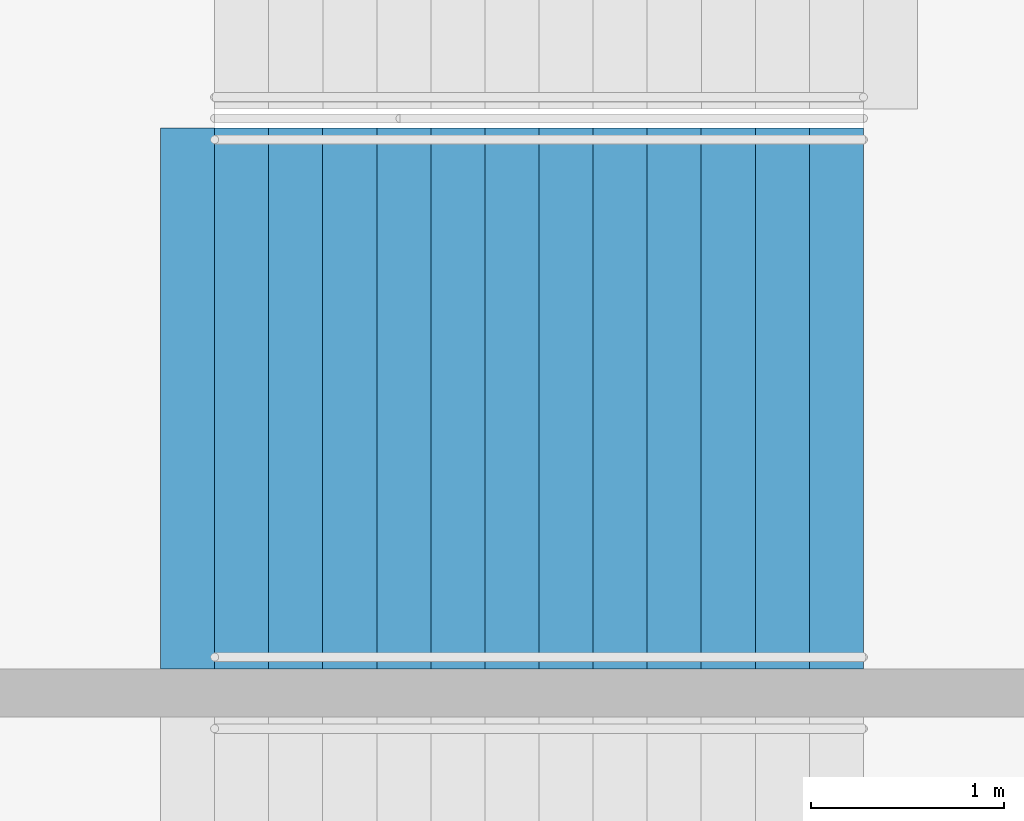
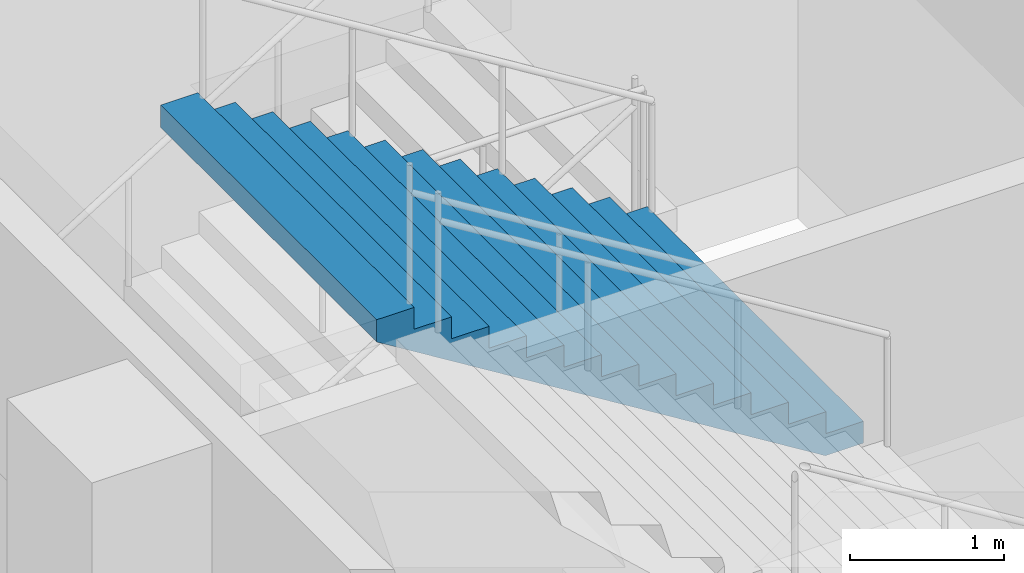
# One storey, part 154 of 177: 1 stair flight, 1 element without a shape of its own.
"""IFC4 building model written with IfcOpenShell, lengths in metres."""

from ifc_helpers import new_model, si_unit, direction, frame, origin, place, context, subcontext, project, spatial, faceted_brep, material, type_object, element, aggregate, save


model = new_model("IFC4")

# Units and contexts
model_context = context("Model", 3, precision=1e-05, world=origin(), true_north=direction((0.0, 1.0)))
body_context = subcontext(model_context, "Body", "Model", "MODEL_VIEW")
ifc_project = project(units=[si_unit("LENGTHUNIT", "METRE"), si_unit("AREAUNIT", "SQUARE_METRE"), si_unit("VOLUMEUNIT", "CUBIC_METRE"), si_unit("PLANEANGLEUNIT", "RADIAN"), si_unit("MASSUNIT", "GRAM", prefix="KILO")], contexts=[model_context])

# Site, building, storey
site_placement = place(None, origin())
site = spatial("IfcSite", under=ifc_project, at=site_placement, CompositionType="ELEMENT")
building_placement = place(site_placement, origin())
building = spatial("IfcBuilding", under=site, at=building_placement, Name="Ogive Plaza Stadium", CompositionType="ELEMENT")
storey_placement = place(building_placement, frame((0.0, 0.0, 18.0)))
storey = spatial("IfcBuildingStorey", under=building, at=storey_placement, Name="L04", CompositionType="ELEMENT", Elevation=18.0)

# Stair, stair flight
ifc_material_1 = material(Name="Concrete C40/50", Category="concrete")
stair_type = type_object("IfcStairType", Name="Exit stair", PredefinedType="STRAIGHT_RUN_STAIR", material=ifc_material_1)
stair_placement = place(storey_placement, origin())
stair = element("IfcStair", 1, at=stair_placement, inside=storey, type_object=stair_type, Name="Exit stair ST02B L04 to L05", PredefinedType="STRAIGHT_RUN_STAIR")
ifc_material_2 = material(Name="Concrete C40/50", Category="concrete")
stair_flight_type = type_object("IfcStairFlightType", Name="Exit stair flight", PredefinedType="STRAIGHT", material=ifc_material_2)
stair_flight_placement = place(storey_placement, frame((79.7099609375, 39.02490234375, 2.25), z_axis=(0.0, 0.0, 1.0), x_axis=(-1.0, 0.0, 0.0)))
stair_flight = element("IfcStairFlight", 2, at=stair_flight_placement, type_object=stair_flight_type, Name="ST02B flight 2", NumberOfRisers=13, NumberOfTreads=12, PredefinedType="STRAIGHT", RiserHeight=0.173076923, TreadLength=0.28, context=body_context, shape_type="Brep", body=[
    faceted_brep([(0.28515625, -1.39990234375, 0.0), (3.639892578125, -1.39990234375, 2.07373046875), (3.639892578125, -1.39990234375, 2.25), (3.360107421875, -1.39990234375, 2.25), (3.360107421875, -1.39990234375, 2.076904296875), (3.080078125, -1.39990234375, 2.076904296875), (3.080078125, -1.39990234375, 1.90380859375), (2.800048828125, -1.39990234375, 1.90380859375), (2.800048828125, -1.39990234375, 1.730712890625), (2.52001953125, -1.39990234375, 1.730712890625), (2.52001953125, -1.39990234375, 1.5576171875), (2.239990234375, -1.39990234375, 1.5576171875), (2.239990234375, -1.39990234375, 1.384521484375), (1.9599609375, -1.39990234375, 1.384521484375), (1.9599609375, -1.39990234375, 1.21142578125), (1.679931640625, -1.39990234375, 1.21142578125), (1.679931640625, -1.39990234375, 1.03857421875), (1.39990234375, -1.39990234375, 1.03857421875), (1.39990234375, -1.39990234375, 0.865478515625), (1.1201171875, -1.39990234375, 0.865478515625), (1.1201171875, -1.39990234375, 0.6923828125), (0.840087890625, -1.39990234375, 0.6923828125), (0.840087890625, -1.39990234375, 0.519287109375), (0.56005859375, -1.39990234375, 0.519287109375), (0.56005859375, -1.39990234375, 0.34619140625), (0.280029296875, -1.39990234375, 0.34619140625), (0.280029296875, -1.39990234375, 0.173095703125), (0.0, -1.39990234375, 0.173095703125), (0.0, -1.39990234375, 0.0), (0.0, 1.39990234375, 0.0), (0.0, 1.39990234375, 0.173095703125), (0.280029296875, 1.39990234375, 0.173095703125), (0.280029296875, 1.39990234375, 0.34619140625), (0.56005859375, 1.39990234375, 0.34619140625), (0.56005859375, 1.39990234375, 0.519287109375), (0.840087890625, 1.39990234375, 0.519287109375), (0.840087890625, 1.39990234375, 0.6923828125), (1.1201171875, 1.39990234375, 0.6923828125), (1.1201171875, 1.39990234375, 0.865478515625), (1.39990234375, 1.39990234375, 0.865478515625), (1.39990234375, 1.39990234375, 1.03857421875), (1.679931640625, 1.39990234375, 1.03857421875), (1.679931640625, 1.39990234375, 1.21142578125), (1.9599609375, 1.39990234375, 1.21142578125), (1.9599609375, 1.39990234375, 1.384521484375), (2.239990234375, 1.39990234375, 1.384521484375), (2.239990234375, 1.39990234375, 1.5576171875), (2.52001953125, 1.39990234375, 1.5576171875), (2.52001953125, 1.39990234375, 1.730712890625), (2.800048828125, 1.39990234375, 1.730712890625), (2.800048828125, 1.39990234375, 1.90380859375), (3.080078125, 1.39990234375, 1.90380859375), (3.080078125, 1.39990234375, 2.076904296875), (3.360107421875, 1.39990234375, 2.076904296875), (3.360107421875, 1.39990234375, 2.25), (3.639892578125, 1.39990234375, 2.25), (3.639892578125, 1.39990234375, 2.07373046875), (0.28515625, 1.39990234375, 0.0), (0.28515625, -1.0888671875, 0.0), (3.639892578125, -1.0888671875, 2.07373046875), (0.28515625, -0.77783203125, 0.0), (3.639892578125, -0.77783203125, 2.07373046875), (0.28515625, -0.466796875, 0.0), (3.639892578125, -0.466796875, 2.07373046875), (0.28515625, -0.155517578125, 0.0), (3.639892578125, -0.155517578125, 2.07373046875), (0.28515625, 0.155517578125, 0.0), (3.639892578125, 0.155517578125, 2.07373046875), (0.28515625, 0.466796875, 0.0), (3.639892578125, 0.466796875, 2.07373046875), (0.28515625, 0.77783203125, 0.0), (3.639892578125, 0.77783203125, 2.07373046875), (0.28515625, 1.0888671875, 0.0), (3.639892578125, 1.0888671875, 2.07373046875), (3.639892578125, -1.0888671875, 2.25), (3.639892578125, -0.77783203125, 2.25), (3.639892578125, -0.466796875, 2.25), (3.639892578125, -0.155517578125, 2.25), (3.639892578125, 0.155517578125, 2.25), (3.639892578125, 0.466796875, 2.25), (3.639892578125, 0.77783203125, 2.25), (3.639892578125, 1.0888671875, 2.25), (3.360107421875, -1.0888671875, 2.25), (3.360107421875, -0.77783203125, 2.25), (3.360107421875, -0.466796875, 2.25), (3.360107421875, -0.155517578125, 2.25), (3.360107421875, 0.155517578125, 2.25), (3.360107421875, 0.466796875, 2.25), (3.360107421875, 0.77783203125, 2.25), (3.360107421875, 1.0888671875, 2.25), (3.360107421875, -1.0888671875, 2.076904296875), (3.360107421875, -0.77783203125, 2.076904296875), (3.360107421875, -0.466796875, 2.076904296875), (3.360107421875, -0.155517578125, 2.076904296875), (3.360107421875, 0.155517578125, 2.076904296875), (3.360107421875, 0.466796875, 2.076904296875), (3.360107421875, 0.77783203125, 2.076904296875), (3.360107421875, 1.0888671875, 2.076904296875), (3.080078125, -1.0888671875, 2.076904296875), (3.080078125, -0.77783203125, 2.076904296875), (3.080078125, -0.466796875, 2.076904296875), (3.080078125, -0.155517578125, 2.076904296875), (3.080078125, 0.155517578125, 2.076904296875), (3.080078125, 0.466796875, 2.076904296875), (3.080078125, 0.77783203125, 2.076904296875), (3.080078125, 1.0888671875, 2.076904296875), (3.080078125, -1.0888671875, 1.90380859375), (3.080078125, -0.77783203125, 1.90380859375), (3.080078125, -0.466796875, 1.90380859375), (3.080078125, -0.155517578125, 1.90380859375), (3.080078125, 0.155517578125, 1.90380859375), (3.080078125, 0.466796875, 1.90380859375), (3.080078125, 0.77783203125, 1.90380859375), (3.080078125, 1.0888671875, 1.90380859375), (2.800048828125, -1.0888671875, 1.90380859375), (2.800048828125, -0.77783203125, 1.90380859375), (2.800048828125, -0.466796875, 1.90380859375), (2.800048828125, -0.155517578125, 1.90380859375), (2.800048828125, 0.155517578125, 1.90380859375), (2.800048828125, 0.466796875, 1.90380859375), (2.800048828125, 0.77783203125, 1.90380859375), (2.800048828125, 1.0888671875, 1.90380859375), (2.800048828125, -1.0888671875, 1.730712890625), (2.800048828125, -0.77783203125, 1.730712890625), (2.800048828125, -0.466796875, 1.730712890625), (2.800048828125, -0.155517578125, 1.730712890625), (2.800048828125, 0.155517578125, 1.730712890625), (2.800048828125, 0.466796875, 1.730712890625), (2.800048828125, 0.77783203125, 1.730712890625), (2.800048828125, 1.0888671875, 1.730712890625), (2.52001953125, -1.0888671875, 1.730712890625), (2.52001953125, -0.77783203125, 1.730712890625), (2.52001953125, -0.466796875, 1.730712890625), (2.52001953125, -0.155517578125, 1.730712890625), (2.52001953125, 0.155517578125, 1.730712890625), (2.52001953125, 0.466796875, 1.730712890625), (2.52001953125, 0.77783203125, 1.730712890625), (2.52001953125, 1.0888671875, 1.730712890625), (2.52001953125, -1.0888671875, 1.5576171875), (2.52001953125, -0.77783203125, 1.5576171875), (2.52001953125, -0.466796875, 1.5576171875), (2.52001953125, -0.155517578125, 1.5576171875), (2.52001953125, 0.155517578125, 1.5576171875), (2.52001953125, 0.466796875, 1.5576171875), (2.52001953125, 0.77783203125, 1.5576171875), (2.52001953125, 1.0888671875, 1.5576171875), (2.239990234375, -1.0888671875, 1.5576171875), (2.239990234375, -0.77783203125, 1.5576171875), (2.239990234375, -0.466796875, 1.5576171875), (2.239990234375, -0.155517578125, 1.5576171875), (2.239990234375, 0.155517578125, 1.5576171875), (2.239990234375, 0.466796875, 1.5576171875), (2.239990234375, 0.77783203125, 1.5576171875), (2.239990234375, 1.0888671875, 1.5576171875), (2.239990234375, -1.0888671875, 1.384521484375), (2.239990234375, -0.77783203125, 1.384521484375), (2.239990234375, -0.466796875, 1.384521484375), (2.239990234375, -0.155517578125, 1.384521484375), (2.239990234375, 0.155517578125, 1.384521484375), (2.239990234375, 0.466796875, 1.384521484375), (2.239990234375, 0.77783203125, 1.384521484375), (2.239990234375, 1.0888671875, 1.384521484375), (1.9599609375, -1.0888671875, 1.384521484375), (1.9599609375, -0.77783203125, 1.384521484375), (1.9599609375, -0.466796875, 1.384521484375), (1.9599609375, -0.155517578125, 1.384521484375), (1.9599609375, 0.155517578125, 1.384521484375), (1.9599609375, 0.466796875, 1.384521484375), (1.9599609375, 0.77783203125, 1.384521484375), (1.9599609375, 1.0888671875, 1.384521484375), (1.9599609375, -1.0888671875, 1.21142578125), (1.9599609375, -0.77783203125, 1.21142578125), (1.9599609375, -0.466796875, 1.21142578125), (1.9599609375, -0.155517578125, 1.21142578125), (1.9599609375, 0.155517578125, 1.21142578125), (1.9599609375, 0.466796875, 1.21142578125), (1.9599609375, 0.77783203125, 1.21142578125), (1.9599609375, 1.0888671875, 1.21142578125), (1.679931640625, -1.0888671875, 1.21142578125), (1.679931640625, -0.77783203125, 1.21142578125), (1.679931640625, -0.466796875, 1.21142578125), (1.679931640625, -0.155517578125, 1.21142578125), (1.679931640625, 0.155517578125, 1.21142578125), (1.679931640625, 0.466796875, 1.21142578125), (1.679931640625, 0.77783203125, 1.21142578125), (1.679931640625, 1.0888671875, 1.21142578125), (1.679931640625, -1.0888671875, 1.03857421875), (1.679931640625, -0.77783203125, 1.03857421875), (1.679931640625, -0.466796875, 1.03857421875), (1.679931640625, -0.155517578125, 1.03857421875), (1.679931640625, 0.155517578125, 1.03857421875), (1.679931640625, 0.466796875, 1.03857421875), (1.679931640625, 0.77783203125, 1.03857421875), (1.679931640625, 1.0888671875, 1.03857421875), (1.39990234375, -1.0888671875, 1.03857421875), (1.39990234375, -0.77783203125, 1.03857421875), (1.39990234375, -0.466796875, 1.03857421875), (1.39990234375, -0.155517578125, 1.03857421875), (1.39990234375, 0.155517578125, 1.03857421875), (1.39990234375, 0.466796875, 1.03857421875), (1.39990234375, 0.77783203125, 1.03857421875), (1.39990234375, 1.0888671875, 1.03857421875), (1.39990234375, -1.0888671875, 0.865478515625), (1.39990234375, -0.77783203125, 0.865478515625), (1.39990234375, -0.466796875, 0.865478515625), (1.39990234375, -0.155517578125, 0.865478515625), (1.39990234375, 0.155517578125, 0.865478515625), (1.39990234375, 0.466796875, 0.865478515625), (1.39990234375, 0.77783203125, 0.865478515625), (1.39990234375, 1.0888671875, 0.865478515625), (1.1201171875, -1.0888671875, 0.865478515625), (1.1201171875, -0.77783203125, 0.865478515625), (1.1201171875, -0.466796875, 0.865478515625), (1.1201171875, -0.155517578125, 0.865478515625), (1.1201171875, 0.155517578125, 0.865478515625), (1.1201171875, 0.466796875, 0.865478515625), (1.1201171875, 0.77783203125, 0.865478515625), (1.1201171875, 1.0888671875, 0.865478515625), (1.1201171875, -1.0888671875, 0.6923828125), (1.1201171875, -0.77783203125, 0.6923828125), (1.1201171875, -0.466796875, 0.6923828125), (1.1201171875, -0.155517578125, 0.6923828125), (1.1201171875, 0.155517578125, 0.6923828125), (1.1201171875, 0.466796875, 0.6923828125), (1.1201171875, 0.77783203125, 0.6923828125), (1.1201171875, 1.0888671875, 0.6923828125), (0.840087890625, -1.0888671875, 0.6923828125), (0.840087890625, -0.77783203125, 0.6923828125), (0.840087890625, -0.466796875, 0.6923828125), (0.840087890625, -0.155517578125, 0.6923828125), (0.840087890625, 0.155517578125, 0.6923828125), (0.840087890625, 0.466796875, 0.6923828125), (0.840087890625, 0.77783203125, 0.6923828125), (0.840087890625, 1.0888671875, 0.6923828125), (0.840087890625, -1.0888671875, 0.519287109375), (0.840087890625, -0.77783203125, 0.519287109375), (0.840087890625, -0.466796875, 0.519287109375), (0.840087890625, -0.155517578125, 0.519287109375), (0.840087890625, 0.155517578125, 0.519287109375), (0.840087890625, 0.466796875, 0.519287109375), (0.840087890625, 0.77783203125, 0.519287109375), (0.840087890625, 1.0888671875, 0.519287109375), (0.56005859375, -1.0888671875, 0.519287109375), (0.56005859375, -0.77783203125, 0.519287109375), (0.56005859375, -0.466796875, 0.519287109375), (0.56005859375, -0.155517578125, 0.519287109375), (0.56005859375, 0.155517578125, 0.519287109375), (0.56005859375, 0.466796875, 0.519287109375), (0.56005859375, 0.77783203125, 0.519287109375), (0.56005859375, 1.0888671875, 0.519287109375), (0.56005859375, -1.0888671875, 0.34619140625), (0.56005859375, -0.77783203125, 0.34619140625), (0.56005859375, -0.466796875, 0.34619140625), (0.56005859375, -0.155517578125, 0.34619140625), (0.56005859375, 0.155517578125, 0.34619140625), (0.56005859375, 0.466796875, 0.34619140625), (0.56005859375, 0.77783203125, 0.34619140625), (0.56005859375, 1.0888671875, 0.34619140625), (0.280029296875, -1.0888671875, 0.34619140625), (0.280029296875, -0.77783203125, 0.34619140625), (0.280029296875, -0.466796875, 0.34619140625), (0.280029296875, -0.155517578125, 0.34619140625), (0.280029296875, 0.155517578125, 0.34619140625), (0.280029296875, 0.466796875, 0.34619140625), (0.280029296875, 0.77783203125, 0.34619140625), (0.280029296875, 1.0888671875, 0.34619140625), (0.280029296875, -1.0888671875, 0.173095703125), (0.280029296875, -0.77783203125, 0.173095703125), (0.280029296875, -0.466796875, 0.173095703125), (0.280029296875, -0.155517578125, 0.173095703125), (0.280029296875, 0.155517578125, 0.173095703125), (0.280029296875, 0.466796875, 0.173095703125), (0.280029296875, 0.77783203125, 0.173095703125), (0.280029296875, 1.0888671875, 0.173095703125), (0.0, -1.0888671875, 0.173095703125), (0.0, -0.77783203125, 0.173095703125), (0.0, -0.466796875, 0.173095703125), (0.0, -0.155517578125, 0.173095703125), (0.0, 0.155517578125, 0.173095703125), (0.0, 0.466796875, 0.173095703125), (0.0, 0.77783203125, 0.173095703125), (0.0, 1.0888671875, 0.173095703125), (0.0, -1.0888671875, 0.0), (0.0, -0.77783203125, 0.0), (0.0, -0.466796875, 0.0), (0.0, -0.155517578125, 0.0), (0.0, 0.155517578125, 0.0), (0.0, 0.466796875, 0.0), (0.0, 0.77783203125, 0.0), (0.0, 1.0888671875, 0.0)], [[[0, 1, 2, 3, 4, 5, 6, 7, 8, 9, 10, 11, 12, 13, 14, 15, 16, 17, 18, 19, 20, 21, 22, 23, 24, 25, 26, 27, 28]], [[29, 30, 31, 32, 33, 34, 35, 36, 37, 38, 39, 40, 41, 42, 43, 44, 45, 46, 47, 48, 49, 50, 51, 52, 53, 54, 55, 56, 57]], [[0, 58, 59, 1]], [[58, 60, 61, 59]], [[60, 62, 63, 61]], [[62, 64, 65, 63]], [[64, 66, 67, 65]], [[66, 68, 69, 67]], [[68, 70, 71, 69]], [[70, 72, 73, 71]], [[72, 57, 56, 73]], [[1, 59, 74, 2]], [[59, 61, 75, 74]], [[61, 63, 76, 75]], [[63, 65, 77, 76]], [[65, 67, 78, 77]], [[67, 69, 79, 78]], [[69, 71, 80, 79]], [[71, 73, 81, 80]], [[73, 56, 55, 81]], [[2, 74, 82, 3]], [[74, 75, 83, 82]], [[75, 76, 84, 83]], [[76, 77, 85, 84]], [[77, 78, 86, 85]], [[78, 79, 87, 86]], [[79, 80, 88, 87]], [[80, 81, 89, 88]], [[81, 55, 54, 89]], [[3, 82, 90, 4]], [[82, 83, 91, 90]], [[83, 84, 92, 91]], [[84, 85, 93, 92]], [[85, 86, 94, 93]], [[86, 87, 95, 94]], [[87, 88, 96, 95]], [[88, 89, 97, 96]], [[89, 54, 53, 97]], [[4, 90, 98, 5]], [[90, 91, 99, 98]], [[91, 92, 100, 99]], [[92, 93, 101, 100]], [[93, 94, 102, 101]], [[94, 95, 103, 102]], [[95, 96, 104, 103]], [[96, 97, 105, 104]], [[97, 53, 52, 105]], [[5, 98, 106, 6]], [[98, 99, 107, 106]], [[99, 100, 108, 107]], [[100, 101, 109, 108]], [[101, 102, 110, 109]], [[102, 103, 111, 110]], [[103, 104, 112, 111]], [[104, 105, 113, 112]], [[105, 52, 51, 113]], [[6, 106, 114, 7]], [[106, 107, 115, 114]], [[107, 108, 116, 115]], [[108, 109, 117, 116]], [[109, 110, 118, 117]], [[110, 111, 119, 118]], [[111, 112, 120, 119]], [[112, 113, 121, 120]], [[113, 51, 50, 121]], [[7, 114, 122, 8]], [[114, 115, 123, 122]], [[115, 116, 124, 123]], [[116, 117, 125, 124]], [[117, 118, 126, 125]], [[118, 119, 127, 126]], [[119, 120, 128, 127]], [[120, 121, 129, 128]], [[121, 50, 49, 129]], [[8, 122, 130, 9]], [[122, 123, 131, 130]], [[123, 124, 132, 131]], [[124, 125, 133, 132]], [[125, 126, 134, 133]], [[126, 127, 135, 134]], [[127, 128, 136, 135]], [[128, 129, 137, 136]], [[129, 49, 48, 137]], [[9, 130, 138, 10]], [[130, 131, 139, 138]], [[131, 132, 140, 139]], [[132, 133, 141, 140]], [[133, 134, 142, 141]], [[134, 135, 143, 142]], [[135, 136, 144, 143]], [[136, 137, 145, 144]], [[137, 48, 47, 145]], [[10, 138, 146, 11]], [[138, 139, 147, 146]], [[139, 140, 148, 147]], [[140, 141, 149, 148]], [[141, 142, 150, 149]], [[142, 143, 151, 150]], [[143, 144, 152, 151]], [[144, 145, 153, 152]], [[145, 47, 46, 153]], [[11, 146, 154, 12]], [[146, 147, 155, 154]], [[147, 148, 156, 155]], [[148, 149, 157, 156]], [[149, 150, 158, 157]], [[150, 151, 159, 158]], [[151, 152, 160, 159]], [[152, 153, 161, 160]], [[153, 46, 45, 161]], [[12, 154, 162, 13]], [[154, 155, 163, 162]], [[155, 156, 164, 163]], [[156, 157, 165, 164]], [[157, 158, 166, 165]], [[158, 159, 167, 166]], [[159, 160, 168, 167]], [[160, 161, 169, 168]], [[161, 45, 44, 169]], [[13, 162, 170, 14]], [[162, 163, 171, 170]], [[163, 164, 172, 171]], [[164, 165, 173, 172]], [[165, 166, 174, 173]], [[166, 167, 175, 174]], [[167, 168, 176, 175]], [[168, 169, 177, 176]], [[169, 44, 43, 177]], [[14, 170, 178, 15]], [[170, 171, 179, 178]], [[171, 172, 180, 179]], [[172, 173, 181, 180]], [[173, 174, 182, 181]], [[174, 175, 183, 182]], [[175, 176, 184, 183]], [[176, 177, 185, 184]], [[177, 43, 42, 185]], [[15, 178, 186, 16]], [[178, 179, 187, 186]], [[179, 180, 188, 187]], [[180, 181, 189, 188]], [[181, 182, 190, 189]], [[182, 183, 191, 190]], [[183, 184, 192, 191]], [[184, 185, 193, 192]], [[185, 42, 41, 193]], [[16, 186, 194, 17]], [[186, 187, 195, 194]], [[187, 188, 196, 195]], [[188, 189, 197, 196]], [[189, 190, 198, 197]], [[190, 191, 199, 198]], [[191, 192, 200, 199]], [[192, 193, 201, 200]], [[193, 41, 40, 201]], [[17, 194, 202, 18]], [[194, 195, 203, 202]], [[195, 196, 204, 203]], [[196, 197, 205, 204]], [[197, 198, 206, 205]], [[198, 199, 207, 206]], [[199, 200, 208, 207]], [[200, 201, 209, 208]], [[201, 40, 39, 209]], [[18, 202, 210, 19]], [[202, 203, 211, 210]], [[203, 204, 212, 211]], [[204, 205, 213, 212]], [[205, 206, 214, 213]], [[206, 207, 215, 214]], [[207, 208, 216, 215]], [[208, 209, 217, 216]], [[209, 39, 38, 217]], [[19, 210, 218, 20]], [[210, 211, 219, 218]], [[211, 212, 220, 219]], [[212, 213, 221, 220]], [[213, 214, 222, 221]], [[214, 215, 223, 222]], [[215, 216, 224, 223]], [[216, 217, 225, 224]], [[217, 38, 37, 225]], [[20, 218, 226, 21]], [[218, 219, 227, 226]], [[219, 220, 228, 227]], [[220, 221, 229, 228]], [[221, 222, 230, 229]], [[222, 223, 231, 230]], [[223, 224, 232, 231]], [[224, 225, 233, 232]], [[225, 37, 36, 233]], [[21, 226, 234, 22]], [[226, 227, 235, 234]], [[227, 228, 236, 235]], [[228, 229, 237, 236]], [[229, 230, 238, 237]], [[230, 231, 239, 238]], [[231, 232, 240, 239]], [[232, 233, 241, 240]], [[233, 36, 35, 241]], [[22, 234, 242, 23]], [[234, 235, 243, 242]], [[235, 236, 244, 243]], [[236, 237, 245, 244]], [[237, 238, 246, 245]], [[238, 239, 247, 246]], [[239, 240, 248, 247]], [[240, 241, 249, 248]], [[241, 35, 34, 249]], [[23, 242, 250, 24]], [[242, 243, 251, 250]], [[243, 244, 252, 251]], [[244, 245, 253, 252]], [[245, 246, 254, 253]], [[246, 247, 255, 254]], [[247, 248, 256, 255]], [[248, 249, 257, 256]], [[249, 34, 33, 257]], [[24, 250, 258, 25]], [[250, 251, 259, 258]], [[251, 252, 260, 259]], [[252, 253, 261, 260]], [[253, 254, 262, 261]], [[254, 255, 263, 262]], [[255, 256, 264, 263]], [[256, 257, 265, 264]], [[257, 33, 32, 265]], [[25, 258, 266, 26]], [[258, 259, 267, 266]], [[259, 260, 268, 267]], [[260, 261, 269, 268]], [[261, 262, 270, 269]], [[262, 263, 271, 270]], [[263, 264, 272, 271]], [[264, 265, 273, 272]], [[265, 32, 31, 273]], [[26, 266, 274, 27]], [[266, 267, 275, 274]], [[267, 268, 276, 275]], [[268, 269, 277, 276]], [[269, 270, 278, 277]], [[270, 271, 279, 278]], [[271, 272, 280, 279]], [[272, 273, 281, 280]], [[273, 31, 30, 281]], [[27, 274, 282, 28]], [[274, 275, 283, 282]], [[275, 276, 284, 283]], [[276, 277, 285, 284]], [[277, 278, 286, 285]], [[278, 279, 287, 286]], [[279, 280, 288, 287]], [[280, 281, 289, 288]], [[281, 30, 29, 289]], [[28, 282, 58, 0]], [[282, 283, 60, 58]], [[283, 284, 62, 60]], [[284, 285, 64, 62]], [[285, 286, 66, 64]], [[286, 287, 68, 66]], [[287, 288, 70, 68]], [[288, 289, 72, 70]], [[289, 29, 57, 72]]]),
])
aggregate(stair, [stair_flight])

save(model, "model.ifc")
